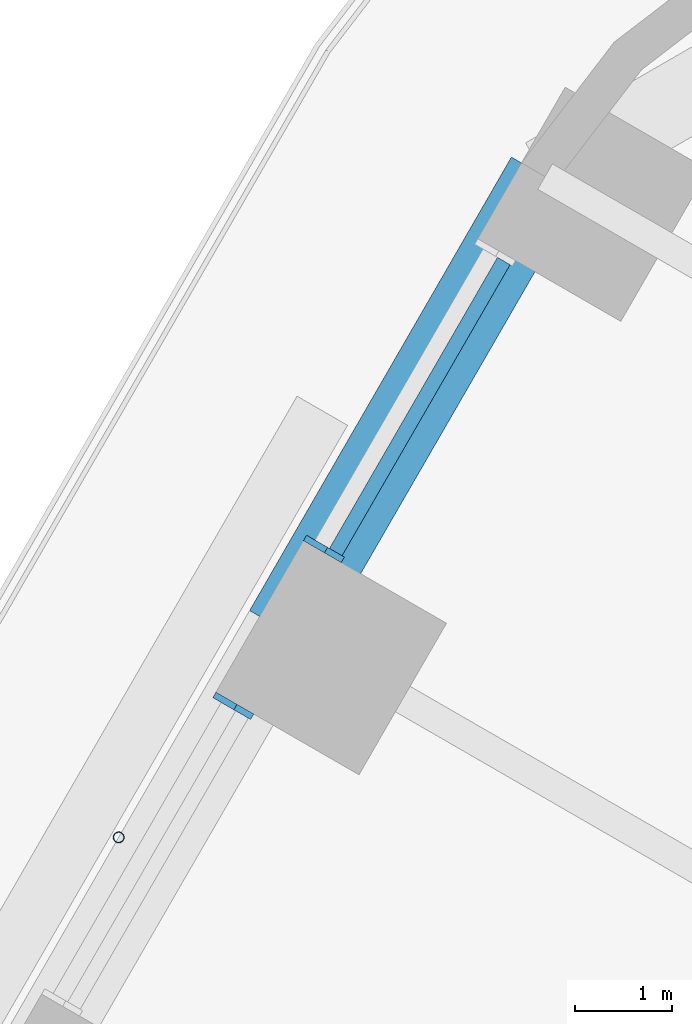
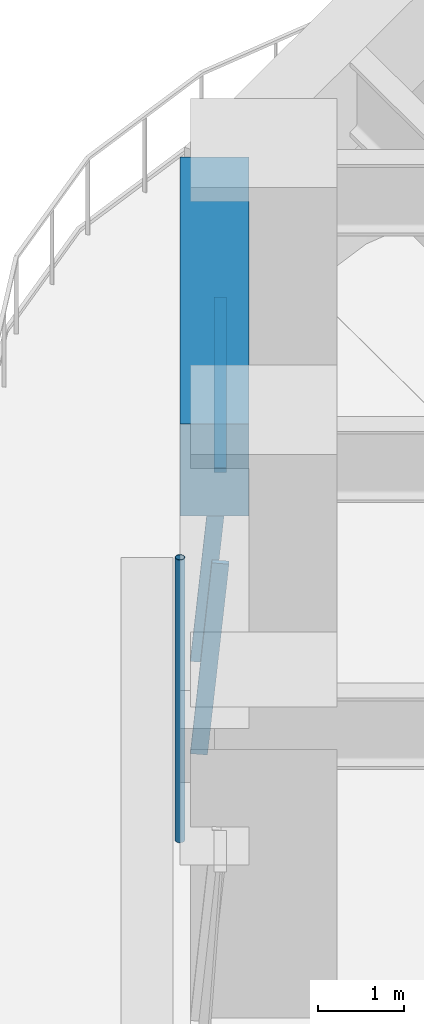
# One storey, part 9 of 23: 4 members, 1 beam, 2 elements without a shape of their own.
"""IFC4 building model written with IfcOpenShell, lengths in metres."""

from ifc_helpers import new_model, si_unit, direction, frame, origin, origin_2d, place, context, subcontext, project, spatial, rectangle, hollow_circle, extrude, material, material_profile, profile_set, type_object, element, aggregate, save


model = new_model("IFC4")

# Units and contexts
model_context = context("Model", 3, precision=1e-05, world=origin(), true_north=direction((0.0, 1.0)))
body_context = subcontext(model_context, "Body", "Model", "MODEL_VIEW")
ifc_project = project(units=[si_unit("LENGTHUNIT", "METRE"), si_unit("AREAUNIT", "SQUARE_METRE"), si_unit("VOLUMEUNIT", "CUBIC_METRE"), si_unit("PLANEANGLEUNIT", "RADIAN"), si_unit("MASSUNIT", "GRAM", prefix="KILO")], contexts=[model_context])

# Site, building, storey
site_placement = place(None, origin())
site = spatial("IfcSite", under=ifc_project, at=site_placement, CompositionType="ELEMENT")
building_placement = place(site_placement, origin())
building = spatial("IfcBuilding", under=site, at=building_placement, Name="Tarfa Lantern Tower", CompositionType="ELEMENT")
storey_placement = place(building_placement, frame((0.0, 0.0, 99.10009765625)))
storey = spatial("IfcBuildingStorey", under=building, at=storey_placement, Name="L22", CompositionType="ELEMENT", Elevation=99.10009765625)

# Curtain wall, member
ifc_material_1 = material(Name="Aluminium framed curtain wall", Category="aluminium")
curtain_wall_type = type_object("IfcCurtainWallType", Name="CW1 CANTED GLAZING LOW ZONE 2700", PredefinedType="USERDEFINED", material=ifc_material_1)
curtain_wall_1_placement = place(storey_placement, origin())
curtain_wall_1 = element("IfcCurtainWall", 1, at=curtain_wall_1_placement, inside=storey, type_object=curtain_wall_type, Name="CW1 NW L22", ObjectType="CURTAIN WALL", PredefinedType="USERDEFINED")
ifc_material_2 = material(Name="Aluminium mullion", Category="aluminium")
ifc_material_profile_1 = material_profile(ifc_material_2, rectangle(XDim=0.06494140625, YDim=0.199951171875, at=origin_2d()), Name="AL MULLION 65x200")
ifc_profile_set_1 = profile_set([ifc_material_profile_1], Name="Aluminium mullion")
member_type_1 = type_object("IfcMemberType", Name="CWM1 MULLION 65x200", PredefinedType="MULLION", material=ifc_profile_set_1)
member_1_placement = place(storey_placement, frame((-23.50341796875, 27.0908203125, 0.0), z_axis=(0.07986442134, -0.046099868913, 0.99573916077), x_axis=(0.499919672301, 0.866071776036, 0.0)))
member_1 = element("IfcMember", 2, at=member_1_placement, type_object=member_type_1, Name="CW1 mullion 2", PredefinedType="MULLION", context=body_context, shape_type="SweptSolid", body=[
    extrude(rectangle(XDim=0.06494140625, YDim=0.199951171875, at=origin_2d()), origin(), (0.0, 0.0, 1.0), 2.71142578125),
])

curtain_wall_2_placement = place(storey_placement, origin())
curtain_wall_2 = element("IfcCurtainWall", 3, at=curtain_wall_2_placement, inside=storey, type_object=curtain_wall_type, Name="CW1 NW L22", ObjectType="CURTAIN WALL", PredefinedType="USERDEFINED")
member_2_placement = place(storey_placement, frame((-24.435791015625, 25.475830078125, 0.0), z_axis=(0.079774955866, -0.04610020023, 0.995746317068), x_axis=(0.500342721131, 0.865827443207, 0.0)))
member_2 = element("IfcMember", 4, at=member_2_placement, type_object=member_type_1, Name="CW1 mullion 1", PredefinedType="MULLION", context=body_context, shape_type="SweptSolid", body=[
    extrude(rectangle(XDim=0.06494140625, YDim=0.199951171875, at=origin_2d()), origin(), (0.0, 0.0, 1.0), 2.71142578125),
])
aggregate(curtain_wall_2, [member_2])

# Member
ifc_material_3 = material(Name="Aluminium transom", Category="aluminium")
ifc_material_profile_2 = material_profile(ifc_material_3, rectangle(XDim=0.14990234375, YDim=0.06494140625, at=origin_2d()), Name="AL TRANSOM 150x65")
ifc_profile_set_2 = profile_set([ifc_material_profile_2], Name="Aluminium transom")
member_type_2 = type_object("IfcMemberType", Name="CWT1 TRANSOM 150x65", PredefinedType="USERDEFINED", material=ifc_profile_set_2)
member_3_placement = place(storey_placement, frame((-21.5439453125, 29.99072265625, 2.66748046875), z_axis=(-0.500003541824, -0.866023358902, 0.0), x_axis=(0.866023358902, -0.500003541824, 0.0)))
member_3 = element("IfcMember", 5, at=member_3_placement, type_object=member_type_2, Name="CW1 transom 1.2", ObjectType="TRANSOM", PredefinedType="USERDEFINED", context=body_context, shape_type="SweptSolid", body=[
    extrude(rectangle(XDim=0.14990234375, YDim=0.06494140625, at=origin_2d()), origin(), (0.0, 0.0, 1.0), 3.45849609375),
])

aggregate(curtain_wall_1, [member_1, member_3])

# Beam
ifc_material_4 = material(Name="Concrete C80/95", Category="concrete")
ifc_material_profile_3 = material_profile(ifc_material_4, rectangle(XDim=0.800048828125, YDim=1.300048828125, at=origin_2d()), Name="RC 800x1300")
ifc_profile_set_3 = profile_set([ifc_material_profile_3], Name="Concrete C80/95")
beam_type = type_object("IfcBeamType", Name="EB1 RC 800x1300", PredefinedType="SPANDREL", material=ifc_profile_set_3)
beam_placement = place(storey_placement, frame((-21.119384765625, 30.860107421875, 3.349853515625), z_axis=(-0.499998287579, -0.866026392449, 0.0), x_axis=(0.866026392449, -0.499998287579, 0.0)))
element("IfcBeam", 6, at=beam_placement, inside=storey, type_object=beam_type, Name="Edge beam NW0", PredefinedType="SPANDREL", context=body_context, shape_type="SweptSolid", body=[
    extrude(rectangle(XDim=0.800048828125, YDim=1.300048828125, at=origin_2d()), origin(), (0.0, 0.0, 1.0), 5.388671875),
])

# Member
ifc_material_5 = material(Name="Steel S355", Category="steel")
ifc_material_profile_4 = material_profile(ifc_material_5, hollow_circle(Radius=0.05712890625, WallThickness=0.00634765625, at=origin_2d()), Name="CHS114.3x6.3")
ifc_profile_set_4 = profile_set([ifc_material_profile_4], Name="Steel S355")
member_type_3 = type_object("IfcMemberType", Name="TR1 GREEN WALL TRELLIS CHS114.3x6.3", PredefinedType="USERDEFINED", material=ifc_profile_set_4)
member_4_placement = place(storey_placement, frame((-25.50732421875, 24.06005859375, 0.0), z_axis=(0.0, 0.0, 1.0), x_axis=(1.0, 0.0, 0.0)))
element("IfcMember", 7, at=member_4_placement, inside=storey, type_object=member_type_3, Name="Trellis post NW 1", ObjectType="TRELLIS", PredefinedType="USERDEFINED", context=body_context, shape_type="SweptSolid", body=[
    extrude(hollow_circle(Radius=0.05712890625, WallThickness=0.00634765625, at=origin_2d()), origin(), (0.0, 0.0, 1.0), 4.0),
])

save(model, "model.ifc")
